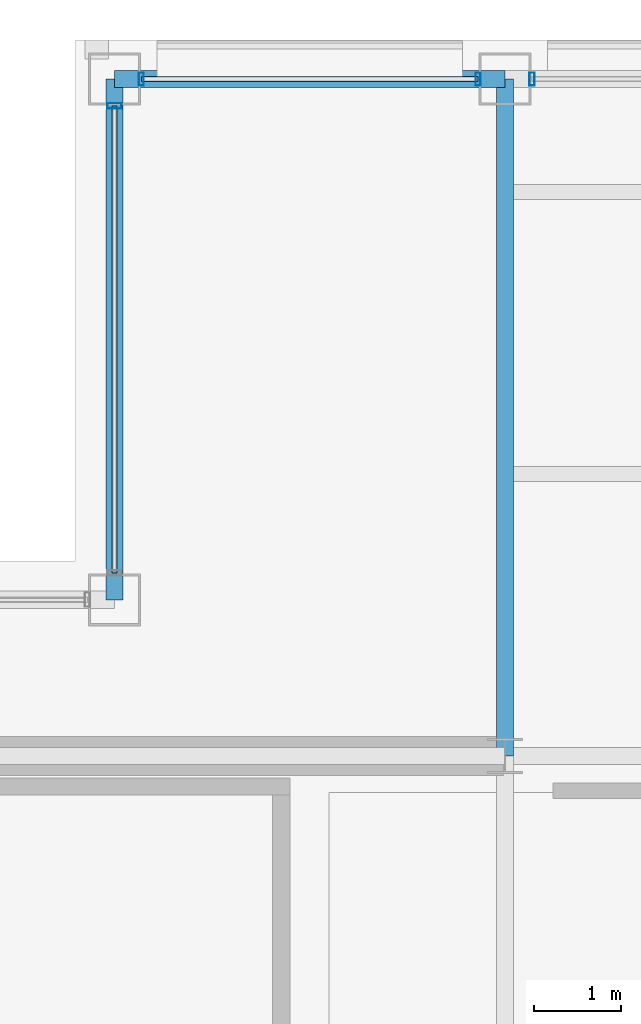
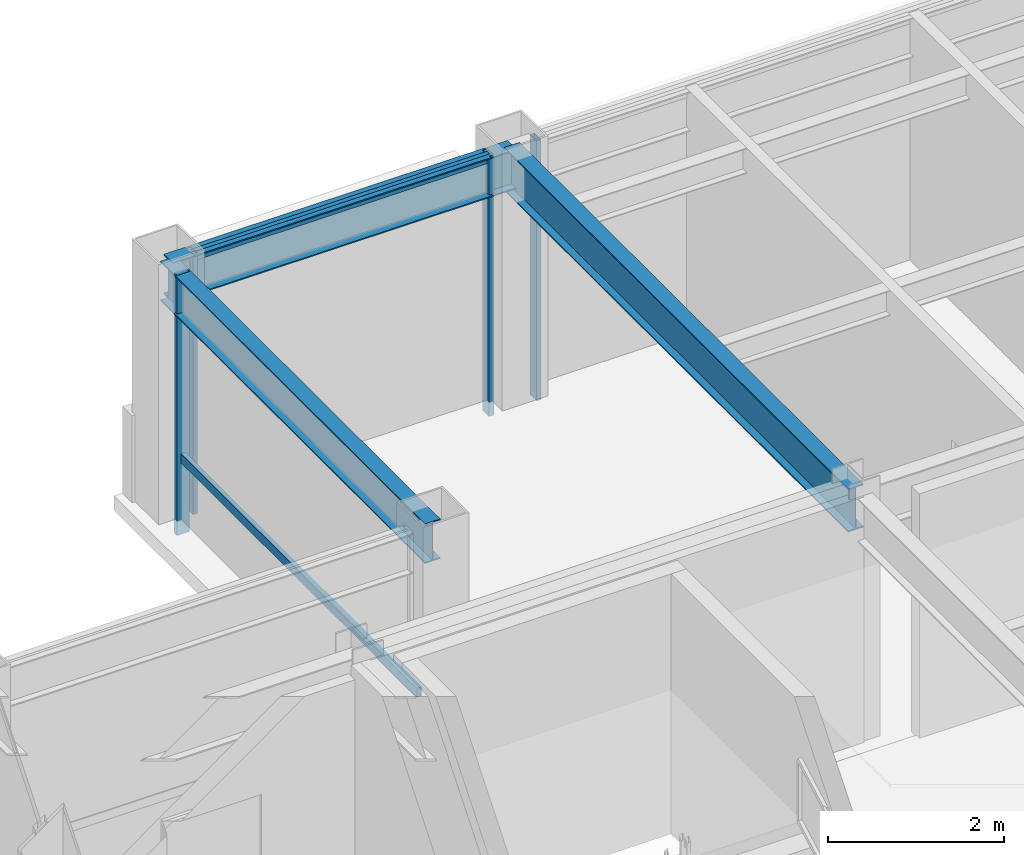
# One storey, part 19 of 28: 6 members, 3 beams, 3 elements without a shape of their own.
"""IFC4 building model written with IfcOpenShell, lengths in metres."""

from ifc_helpers import new_model, si_unit, direction, frame, origin, origin_2d, place, context, subcontext, project, spatial, hollow_rectangle, i_section, extrude, material, layer, layer_set, material_profile, profile_set, type_object, element, aggregate, save


model = new_model("IFC4")

# Units and contexts
model_context = context("Model", 3, precision=1e-05, world=origin(), true_north=direction((0.0, 1.0)))
body_context = subcontext(model_context, "Body", "Model", "MODEL_VIEW")
ifc_project = project(units=[si_unit("LENGTHUNIT", "METRE"), si_unit("AREAUNIT", "SQUARE_METRE"), si_unit("VOLUMEUNIT", "CUBIC_METRE"), si_unit("PLANEANGLEUNIT", "RADIAN"), si_unit("MASSUNIT", "GRAM", prefix="KILO")], contexts=[model_context])

# Site, building, storey
site_placement = place(None, origin())
site = spatial("IfcSite", under=ifc_project, at=site_placement, CompositionType="ELEMENT")
building_placement = place(site_placement, origin())
building = spatial("IfcBuilding", under=site, at=building_placement, Name="Brelmoor Portico Tower", CompositionType="ELEMENT")
storey_placement = place(building_placement, frame((0.0, 0.0, 265.199951171875)))
storey = spatial("IfcBuildingStorey", under=building, at=storey_placement, Name="L70", CompositionType="ELEMENT", Elevation=265.199951171875)

# Beams
ifc_material_1 = material(Name="Steel Q355B", Category="steel")
ifc_material_profile_1 = material_profile(ifc_material_1, i_section(OverallWidth=0.199951171875, OverallDepth=0.60009765625, WebThickness=0.010986328125, FlangeThickness=0.01708984375, at=origin_2d()), Name="HN 600x200x11x17")
ifc_profile_set_1 = profile_set([ifc_material_profile_1], Name="Steel Q355B")
beam_type_1 = type_object("IfcBeamType", Name="BM-PG-600", PredefinedType="BEAM", material=ifc_profile_set_1)
beam_1_placement = place(storey_placement, frame((-8.050048828125, 9.75, 3.10009765625), z_axis=(0.0, 1.0, 0.0), x_axis=(-1.0, 0.0, 0.0)))
element("IfcBeam", 1, at=beam_1_placement, inside=storey, type_object=beam_type_1, Name="L70 Primary Floor Girder PG-05", PredefinedType="BEAM", context=body_context, shape_type="SweptSolid", body=[
    extrude(i_section(OverallWidth=0.199951171875, OverallDepth=0.60009765625, WebThickness=0.010986328125, FlangeThickness=0.01708984375, at=origin_2d()), origin(), (0.0, 0.0, 1.0), 7.800048828125),
])
ifc_material_profile_2 = material_profile(ifc_material_1, i_section(OverallWidth=0.199951171875, OverallDepth=0.550048828125, WebThickness=0.010009765625, FlangeThickness=0.01611328125, at=origin_2d()), Name="HN 550x200x10x16")
ifc_profile_set_2 = profile_set([ifc_material_profile_2], Name="Steel Q355B")
beam_type_2 = type_object("IfcBeamType", Name="BM-SP-550", PredefinedType="SPANDREL", material=ifc_profile_set_2)
beam_2_placement = place(storey_placement, frame((-12.550048828125, 17.550048828125, 3.125), z_axis=(1.0, 0.0, 0.0), x_axis=(0.0, 1.0, 0.0)))
element("IfcBeam", 2, at=beam_2_placement, inside=storey, type_object=beam_type_2, Name="L70 Perimeter Spandrel Beam SP-08", PredefinedType="SPANDREL", context=body_context, shape_type="SweptSolid", body=[
    extrude(i_section(OverallWidth=0.199951171875, OverallDepth=0.550048828125, WebThickness=0.010009765625, FlangeThickness=0.01611328125, at=origin_2d()), origin(), (0.0, 0.0, 1.0), 4.5),
])
beam_3_placement = place(storey_placement, frame((-12.550048828125, 11.550048828125, 3.125), z_axis=(0.0, 1.0, 0.0), x_axis=(-1.0, 0.0, 0.0)))
element("IfcBeam", 3, at=beam_3_placement, inside=storey, type_object=beam_type_2, Name="L70 Perimeter Spandrel Beam SP-15", PredefinedType="SPANDREL", context=body_context, shape_type="SweptSolid", body=[
    extrude(i_section(OverallWidth=0.199951171875, OverallDepth=0.550048828125, WebThickness=0.010009765625, FlangeThickness=0.01611328125, at=origin_2d()), origin(), (0.0, 0.0, 1.0), 6.0),
])

# Curtain wall, members
ifc_material_2 = material(Name="Anodised Aluminium Alloy 6063-T6", Category="aluminium")
ifc_layer_1 = layer(ifc_material_2, 0.179931640625)
ifc_layer_set_1 = layer_set([ifc_layer_1], Name="Anodised Aluminium Alloy 6063-T6")
curtain_wall_type_1 = type_object("IfcCurtainWallType", Name="CW-TOWER-Z4-XB", PredefinedType="NOTDEFINED", material=ifc_layer_set_1)
curtain_wall_1_placement = place(storey_placement, origin())
curtain_wall_1 = element("IfcCurtainWall", 4, at=curtain_wall_1_placement, inside=storey, type_object=curtain_wall_type_1, Name="L70 Curtain Wall CW-L70-02-1", PredefinedType="NOTDEFINED")
ifc_material_profile_3 = material_profile(ifc_material_2, hollow_rectangle(XDim=0.06005859375, YDim=0.14990234375, WallThickness=0.00390625, at=origin_2d()), Name="ALU MULLION 60x150")
ifc_profile_set_3 = profile_set([ifc_material_profile_3], Name="Anodised Aluminium Alloy 6063-T6")
member_type_1 = type_object("IfcMemberType", Name="MB-CW-MULL-150", PredefinedType="MULLION", material=ifc_profile_set_3)
member_1_placement = place(storey_placement, frame((-12.239990234375, 17.550048828125, -0.199951171875), z_axis=(0.0, 0.0, 1.0), x_axis=(1.0, 0.0, 0.0)))
member_1 = element("IfcMember", 5, at=member_1_placement, type_object=member_type_1, Name="CW-L70-02-1 Mullion 00", PredefinedType="MULLION", context=body_context, shape_type="SweptSolid", body=[
    extrude(hollow_rectangle(XDim=0.06005859375, YDim=0.14990234375, WallThickness=0.00390625, at=origin_2d()), origin(), (0.0, 0.0, 1.0), 3.60009765625),
])
member_2_placement = place(storey_placement, frame((-8.360107421875, 17.550048828125, -0.199951171875), z_axis=(0.0, 0.0, 1.0), x_axis=(1.0, 0.0, 0.0)))
member_2 = element("IfcMember", 6, at=member_2_placement, type_object=member_type_1, Name="CW-L70-02-1 Mullion 01", PredefinedType="MULLION", context=body_context, shape_type="SweptSolid", body=[
    extrude(hollow_rectangle(XDim=0.06005859375, YDim=0.14990234375, WallThickness=0.00390625, at=origin_2d()), origin(), (0.0, 0.0, 1.0), 3.60009765625),
])

# Curtain wall, member
curtain_wall_2_placement = place(storey_placement, origin())
curtain_wall_2 = element("IfcCurtainWall", 7, at=curtain_wall_2_placement, inside=storey, type_object=curtain_wall_type_1, Name="L70 Curtain Wall CW-L70-02-2", PredefinedType="NOTDEFINED")
member_3_placement = place(storey_placement, frame((-7.739990234375, 17.550048828125, -0.199951171875), z_axis=(0.0, 0.0, 1.0), x_axis=(1.0, 0.0, 0.0)))
member_3 = element("IfcMember", 8, at=member_3_placement, type_object=member_type_1, Name="CW-L70-02-2 Mullion 00", PredefinedType="MULLION", context=body_context, shape_type="SweptSolid", body=[
    extrude(hollow_rectangle(XDim=0.06005859375, YDim=0.14990234375, WallThickness=0.00390625, at=origin_2d()), origin(), (0.0, 0.0, 1.0), 3.60009765625),
])
aggregate(curtain_wall_2, [member_3])

ifc_layer_2 = layer(ifc_material_2, 0.179931640625)
ifc_layer_set_2 = layer_set([ifc_layer_2], Name="Anodised Aluminium Alloy 6063-T6")
curtain_wall_type_2 = type_object("IfcCurtainWallType", Name="CW-NOTCH-CHAMFER", PredefinedType="NOTDEFINED", material=ifc_layer_set_2)
curtain_wall_3_placement = place(storey_placement, origin())
curtain_wall_3 = element("IfcCurtainWall", 9, at=curtain_wall_3_placement, inside=storey, type_object=curtain_wall_type_2, Name="L70 Curtain Wall CWN-L70-NWV", PredefinedType="NOTDEFINED")
ifc_material_profile_4 = material_profile(ifc_material_2, hollow_rectangle(XDim=0.06494140625, YDim=0.1650390625, WallThickness=0.00390625, at=origin_2d()), Name="ALU MULLION 65x165")
ifc_profile_set_4 = profile_set([ifc_material_profile_4], Name="Anodised Aluminium Alloy 6063-T6")
member_type_2 = type_object("IfcMemberType", Name="MB-CW-MULL-165", PredefinedType="MULLION", material=ifc_profile_set_4)
member_4_placement = place(storey_placement, frame((-12.550048828125, 17.239990234375, -0.199951171875), z_axis=(0.0, 0.0, 1.0), x_axis=(0.0, 1.0, 0.0)))
member_4 = element("IfcMember", 10, at=member_4_placement, type_object=member_type_2, Name="CWN-L70-NWV Mullion 01", PredefinedType="MULLION", context=body_context, shape_type="SweptSolid", body=[
    extrude(hollow_rectangle(XDim=0.06494140625, YDim=0.1650390625, WallThickness=0.00390625, at=origin_2d()), origin(), (0.0, 0.0, 1.0), 3.60009765625),
])

# Member
ifc_material_profile_5 = material_profile(ifc_material_2, hollow_rectangle(XDim=0.06005859375, YDim=0.125, WallThickness=0.00341796875, at=origin_2d()), Name="ALU TRANSOM 60x125")
ifc_profile_set_5 = profile_set([ifc_material_profile_5], Name="Anodised Aluminium Alloy 6063-T6")
member_type_3 = type_object("IfcMemberType", Name="MB-CW-TRAN-125", PredefinedType="USERDEFINED", material=ifc_profile_set_5)
member_5_placement = place(storey_placement, frame((-12.239990234375, 17.550048828125, 3.337646484375), z_axis=(1.0, 0.0, 0.0), x_axis=(0.0, 1.0, 0.0)))
member_5 = element("IfcMember", 11, at=member_5_placement, type_object=member_type_3, Name="CW-L70-02-1 Transom 1-00", ObjectType="TRANSOM", PredefinedType="USERDEFINED", context=body_context, shape_type="SweptSolid", body=[
    extrude(hollow_rectangle(XDim=0.06005859375, YDim=0.125, WallThickness=0.00341796875, at=origin_2d()), origin(), (0.0, 0.0, 1.0), 3.8798828125),
])

aggregate(curtain_wall_1, [member_1, member_2, member_5])

member_6_placement = place(storey_placement, frame((-12.550048828125, 11.860107421875, 0.85009765625), z_axis=(0.0, 1.0, 0.0), x_axis=(-1.0, 0.0, 0.0)))
member_6 = element("IfcMember", 12, at=member_6_placement, type_object=member_type_3, Name="CWN-L70-NWV Transom 1-00", ObjectType="TRANSOM", PredefinedType="USERDEFINED", context=body_context, shape_type="SweptSolid", body=[
    extrude(hollow_rectangle(XDim=0.06005859375, YDim=0.125, WallThickness=0.00341796875, at=origin_2d()), origin(), (0.0, 0.0, 1.0), 5.3798828125),
])

aggregate(curtain_wall_3, [member_4, member_6])

save(model, "model.ifc")
